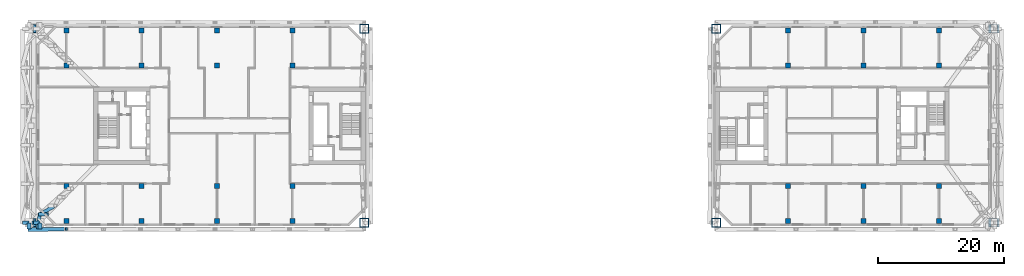
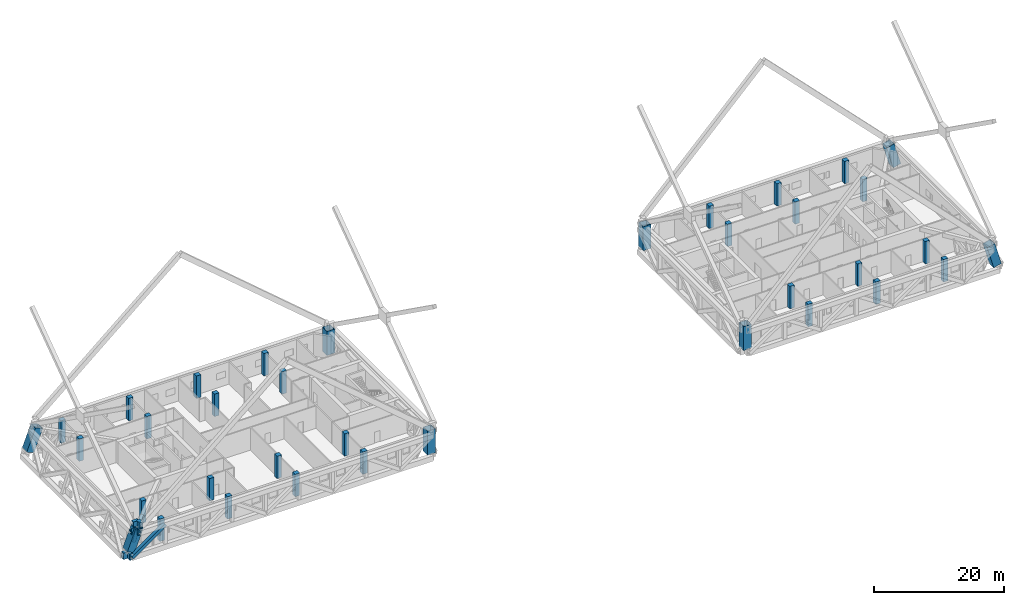
# One storey, part 1 of 20: 36 columns, 6 beams, 4 members.
"""IFC4 building model written with IfcOpenShell, lengths in metres."""

from ifc_helpers import new_model, si_unit, direction, frame, origin, origin_2d, place, context, subcontext, project, spatial, rectangle, hollow_rectangle, extrude, material, material_profile, profile_set, type_object, element, save


model = new_model("IFC4")

# Units and contexts
model_context = context("Model", 3, precision=1e-05, world=origin(), true_north=direction((0.0, 1.0)))
body_context = subcontext(model_context, "Body", "Model", "MODEL_VIEW")
ifc_project = project(units=[si_unit("LENGTHUNIT", "METRE"), si_unit("AREAUNIT", "SQUARE_METRE"), si_unit("VOLUMEUNIT", "CUBIC_METRE"), si_unit("PLANEANGLEUNIT", "RADIAN"), si_unit("MASSUNIT", "GRAM", prefix="KILO")], contexts=[model_context])

# Site, building, storey
site_placement = place(None, origin())
site = spatial("IfcSite", under=ifc_project, at=site_placement, CompositionType="ELEMENT")
building_placement = place(site_placement, origin())
building = spatial("IfcBuilding", under=site, at=building_placement, Name="Tuart Gate Housing", CompositionType="ELEMENT")
storey_placement = place(building_placement, frame((0.0, 0.0, 62.89990234375)))
storey = spatial("IfcBuildingStorey", under=building, at=storey_placement, Name="L17", CompositionType="ELEMENT", Elevation=62.89990234375)

# Columns
ifc_material_1 = material(Name="Steel Grade 350", Category="steel")
ifc_material_profile_1 = material_profile(ifc_material_1, hollow_rectangle(XDim=1.39990234375, YDim=1.39990234375, WallThickness=0.074951171875, at=origin_2d()), Name="BOX 1400x1400x75")
ifc_profile_set_1 = profile_set([ifc_material_profile_1], Name="Steel Grade 350")
column_type_1 = type_object("IfcColumnType", Name="Mega column BOX 1400x1400x75", PredefinedType="COLUMN", material=ifc_profile_set_1)
column_1_placement = place(storey_placement, frame((22.148681640625, 54.550048828125, 0.25390625), z_axis=(0.362471013714, 0.0, 0.931995045168), x_axis=(0.0, 1.0, 0.0)))
element("IfcColumn", 1, at=column_1_placement, inside=storey, type_object=column_type_1, Name="Mega column A south-west L17", PredefinedType="COLUMN", context=body_context, shape_type="SweptSolid", body=[
    extrude(hollow_rectangle(XDim=1.39990234375, YDim=1.39990234375, WallThickness=0.074951171875, at=origin_2d()), origin(), (0.0, 0.0, 1.0), 4.28369140625),
])
for number, where, z_axis, x_axis, name in (
    (2, (75.449951171875, 54.550048828125, 0.0), (0.0, 0.0, 1.0), (1.0, 0.0, 0.0), "Mega column A south-east L17"),
    (3, (75.449951171875, 85.449951171875, 0.0), (0.0, 0.0, 1.0), (1.0, 0.0, 0.0), "Mega column A north-east L17"),
):
    element("IfcColumn", number, at=place(storey_placement, frame(where, z_axis=z_axis, x_axis=x_axis)), inside=storey, type_object=column_type_1, Name=name, PredefinedType="COLUMN", context=body_context, shape_type="SweptSolid", body=[
        extrude(hollow_rectangle(XDim=1.39990234375, YDim=1.39990234375, WallThickness=0.074951171875, at=origin_2d()), origin(), (0.0, 0.0, 1.0), 4.5),
    ])
column_2_placement = place(storey_placement, frame((22.148681640625, 85.449951171875, 0.25390625), z_axis=(0.362471013714, 0.0, 0.931995045168), x_axis=(0.0, 1.0, 0.0)))
element("IfcColumn", 4, at=column_2_placement, inside=storey, type_object=column_type_1, Name="Mega column A north-west L17", PredefinedType="COLUMN", context=body_context, shape_type="SweptSolid", body=[
    extrude(hollow_rectangle(XDim=1.39990234375, YDim=1.39990234375, WallThickness=0.074951171875, at=origin_2d()), origin(), (0.0, 0.0, 1.0), 4.28369140625),
])
column_3_placement = place(storey_placement, frame((131.550048828125, 54.550048828125, 0.0), z_axis=(0.0, 0.0, 1.0), x_axis=(1.0, 0.0, 0.0)))
element("IfcColumn", 5, at=column_3_placement, inside=storey, type_object=column_type_1, Name="Mega column B south-west L17", PredefinedType="COLUMN", context=body_context, shape_type="SweptSolid", body=[
    extrude(hollow_rectangle(XDim=1.39990234375, YDim=1.39990234375, WallThickness=0.074951171875, at=origin_2d()), origin(), (0.0, 0.0, 1.0), 4.5),
])
for number, where, z_axis, x_axis, name in (
    (6, (175.89794921875, 54.550048828125, 0.1875), (-0.267664450709, 0.0, 0.963512190803), (0.0, -1.0, 0.0), "Mega column B south-east L17"),
    (7, (175.89794921875, 85.449951171875, 0.1875), (-0.267664450709, 0.0, 0.963512190803), (0.0, -1.0, 0.0), "Mega column B north-east L17"),
):
    element("IfcColumn", number, at=place(storey_placement, frame(where, z_axis=z_axis, x_axis=x_axis)), inside=storey, type_object=column_type_1, Name=name, PredefinedType="COLUMN", context=body_context, shape_type="SweptSolid", body=[
        extrude(hollow_rectangle(XDim=1.39990234375, YDim=1.39990234375, WallThickness=0.074951171875, at=origin_2d()), origin(), (0.0, 0.0, 1.0), 4.281494140625),
    ])
column_4_placement = place(storey_placement, frame((131.550048828125, 85.449951171875, 0.0), z_axis=(0.0, 0.0, 1.0), x_axis=(1.0, 0.0, 0.0)))
element("IfcColumn", 8, at=column_4_placement, inside=storey, type_object=column_type_1, Name="Mega column B north-west L17", PredefinedType="COLUMN", context=body_context, shape_type="SweptSolid", body=[
    extrude(hollow_rectangle(XDim=1.39990234375, YDim=1.39990234375, WallThickness=0.074951171875, at=origin_2d()), origin(), (0.0, 0.0, 1.0), 4.5),
])
ifc_material_2 = material(Name="Concrete C50", Category="concrete")
ifc_material_profile_2 = material_profile(ifc_material_2, rectangle(XDim=0.800048828125, YDim=0.800048828125, at=origin_2d()), Name="RC column 800 x 800 (4.2-4.2 m)")
ifc_profile_set_2 = profile_set([ifc_material_profile_2], Name="Concrete C50")
column_type_2 = type_object("IfcColumnType", Name="RC column 800 x 800 (4.2-4.2 m)", PredefinedType="COLUMN", material=ifc_profile_set_2)
for number, where, z_axis, x_axis, name in (
    (9, (28.0, 54.800048828125, 0.0), (0.0, 0.0, 1.0), (1.0, 0.0, 0.0), "RC column 1 L17"),
    (10, (28.0, 60.39990234375, 0.0), (0.0, 0.0, 1.0), (1.0, 0.0, 0.0), "RC column 4 L17"),
    (11, (28.0, 79.60009765625, 0.0), (0.0, 0.0, 1.0), (1.0, 0.0, 0.0), "RC column 5 L17"),
    (12, (28.0, 85.199951171875, 0.0), (0.0, 0.0, 1.0), (1.0, 0.0, 0.0), "RC column 8 L17"),
    (13, (40.0, 54.800048828125, 0.0), (0.0, 0.0, 1.0), (1.0, 0.0, 0.0), "RC column 9 L17"),
    (14, (40.0, 60.39990234375, 0.0), (0.0, 0.0, 1.0), (1.0, 0.0, 0.0), "RC column 12 L17"),
    (15, (40.0, 79.60009765625, 0.0), (0.0, 0.0, 1.0), (1.0, 0.0, 0.0), "RC column 13 L17"),
    (16, (40.0, 85.199951171875, 0.0), (0.0, 0.0, 1.0), (1.0, 0.0, 0.0), "RC column 16 L17"),
    (17, (52.0, 54.800048828125, 0.0), (0.0, 0.0, 1.0), (1.0, 0.0, 0.0), "RC column 17 L17"),
    (18, (52.0, 60.39990234375, 0.0), (0.0, 0.0, 1.0), (1.0, 0.0, 0.0), "RC column 18 L17"),
    (19, (52.0, 79.60009765625, 0.0), (0.0, 0.0, 1.0), (1.0, 0.0, 0.0), "RC column 19 L17"),
    (20, (52.0, 85.199951171875, 0.0), (0.0, 0.0, 1.0), (1.0, 0.0, 0.0), "RC column 20 L17"),
    (21, (64.0, 54.800048828125, 0.0), (0.0, 0.0, 1.0), (1.0, 0.0, 0.0), "RC column 21 L17"),
    (22, (64.0, 60.39990234375, 0.0), (0.0, 0.0, 1.0), (1.0, 0.0, 0.0), "RC column 22 L17"),
    (23, (64.0, 79.60009765625, 0.0), (0.0, 0.0, 1.0), (1.0, 0.0, 0.0), "RC column 23 L17"),
    (24, (64.0, 85.199951171875, 0.0), (0.0, 0.0, 1.0), (1.0, 0.0, 0.0), "RC column 24 L17"),
    (25, (143.0, 54.800048828125, 0.0), (0.0, 0.0, 1.0), (1.0, 0.0, 0.0), "RC column 25 L17"),
    (26, (143.0, 60.39990234375, 0.0), (0.0, 0.0, 1.0), (1.0, 0.0, 0.0), "RC column 26 L17"),
    (27, (143.0, 79.60009765625, 0.0), (0.0, 0.0, 1.0), (1.0, 0.0, 0.0), "RC column 27 L17"),
    (28, (143.0, 85.199951171875, 0.0), (0.0, 0.0, 1.0), (1.0, 0.0, 0.0), "RC column 28 L17"),
    (29, (155.0, 54.800048828125, 0.0), (0.0, 0.0, 1.0), (1.0, 0.0, 0.0), "RC column 29 L17"),
    (30, (155.0, 60.39990234375, 0.0), (0.0, 0.0, 1.0), (1.0, 0.0, 0.0), "RC column 30 L17"),
    (31, (155.0, 79.60009765625, 0.0), (0.0, 0.0, 1.0), (1.0, 0.0, 0.0), "RC column 31 L17"),
    (32, (155.0, 85.199951171875, 0.0), (0.0, 0.0, 1.0), (1.0, 0.0, 0.0), "RC column 32 L17"),
    (33, (167.0, 54.800048828125, 0.0), (0.0, 0.0, 1.0), (1.0, 0.0, 0.0), "RC column 33 L17"),
    (34, (167.0, 60.39990234375, 0.0), (0.0, 0.0, 1.0), (1.0, 0.0, 0.0), "RC column 36 L17"),
    (35, (167.0, 79.60009765625, 0.0), (0.0, 0.0, 1.0), (1.0, 0.0, 0.0), "RC column 37 L17"),
    (36, (167.0, 85.199951171875, 0.0), (0.0, 0.0, 1.0), (1.0, 0.0, 0.0), "RC column 40 L17"),
):
    element("IfcColumn", number, at=place(storey_placement, frame(where, z_axis=z_axis, x_axis=x_axis)), inside=storey, type_object=column_type_2, Name=name, PredefinedType="COLUMN", context=body_context, shape_type="SweptSolid", body=[
        extrude(rectangle(XDim=0.800048828125, YDim=0.800048828125, at=origin_2d()), origin(), (0.0, 0.0, 1.0), 4.2001953125),
    ])

# Member
ifc_material_3 = material(Name="Steel Grade 350", Category="steel")
ifc_material_profile_3 = material_profile(ifc_material_3, hollow_rectangle(XDim=0.60009765625, YDim=0.60009765625, WallThickness=0.031982421875, at=origin_2d()), Name="BOX 600x600x32")
ifc_profile_set_3 = profile_set([ifc_material_profile_3], Name="Steel Grade 350")
member_type_1 = type_object("IfcMemberType", Name="Belt truss diagonal BOX 600x600x32", PredefinedType="BRACE", material=ifc_profile_set_3)
member_1_placement = place(storey_placement, frame((22.050048828125, 53.449951171875, -0.39990234375), z_axis=(0.819376919139, 0.013823171495, 0.573088461158), x_axis=(-0.016867945015, 0.999857726095, 0.0)))
element("IfcMember", 37, at=member_1_placement, inside=storey, type_object=member_type_1, Name="Belt truss diagonal A south 0 L17", PredefinedType="BRACE", context=body_context, shape_type="SweptSolid", body=[
    extrude(hollow_rectangle(XDim=0.60009765625, YDim=0.60009765625, WallThickness=0.031982421875, at=origin_2d()), origin(), (0.0, 0.0, 1.0), 7.2412109375),
])

# Beams
ifc_material_4 = material(Name="Steel Grade 350", Category="steel")
ifc_material_profile_4 = material_profile(ifc_material_4, hollow_rectangle(XDim=0.60009765625, YDim=1.199951171875, WallThickness=0.0400390625, at=origin_2d()), Name="BOX 1200x600x40")
ifc_profile_set_4 = profile_set([ifc_material_profile_4], Name="Steel Grade 350")
beam_type = type_object("IfcBeamType", Name="Brace shoe BOX 1200x600x40", PredefinedType="BEAM", material=ifc_profile_set_4)
for number, where, z_axis, x_axis, name in (
    (38, (22.050048828125, 54.550048828125, -0.39990234375), (0.0, -1.0, 0.0), (1.0, 0.0, 0.0), "Mega tie beam A node 2 south shoe 0 L17"),
    (39, (22.050048828125, 54.550048828125, -0.39990234375), (-1.0, 0.0, 0.0), (0.0, -1.0, 0.0), "Mega tie beam A node 2 west shoe 0 L17"),
    (40, (23.800048828125, 54.550048828125, 4.820068359375), (0.0, -1.0, 0.0), (1.0, 0.0, 0.0), "Mega brace shoe A zone 3 south chevron 1"),
    (41, (23.800048828125, 54.550048828125, 4.820068359375), (-1.0, 0.0, 0.0), (0.0, -1.0, 0.0), "Mega brace shoe A zone 3 west cross 1"),
    (42, (23.50830078125, 54.550048828125, 3.75), (0.0, -1.0, 0.0), (1.0, 0.0, 0.0), "Belt truss top chord A south shoe 0 L17"),
    (43, (23.50830078125, 54.550048828125, 3.75), (-1.0, 0.0, 0.0), (0.0, -1.0, 0.0), "Belt truss top chord A west shoe 0 L17"),
):
    element("IfcBeam", number, at=place(storey_placement, frame(where, z_axis=z_axis, x_axis=x_axis)), inside=storey, type_object=beam_type, Name=name, PredefinedType="BEAM", context=body_context, shape_type="SweptSolid", body=[
        extrude(hollow_rectangle(XDim=0.60009765625, YDim=1.199951171875, WallThickness=0.0400390625, at=origin_2d()), origin(), (0.0, 0.0, 1.0), 1.0),
    ])

# Members
ifc_material_5 = material(Name="Steel Grade 350", Category="steel")
ifc_material_profile_5 = material_profile(ifc_material_5, hollow_rectangle(XDim=0.5400390625, YDim=0.5400390625, WallThickness=0.030029296875, at=origin_2d()), Name="BOX 540x540x30")
ifc_profile_set_5 = profile_set([ifc_material_profile_5], Name="Steel Grade 350")
member_type_2 = type_object("IfcMemberType", Name="Outrigger diagonal BOX 540x540x30", PredefinedType="BRACE", material=ifc_profile_set_5)
member_2_placement = place(storey_placement, frame((26.22265625, 57.264404296875, 3.800048828125), z_axis=(-0.567992447121, -0.317199478304, -0.759453139421), x_axis=(0.487577622679, -0.873079642337, 0.0)))
element("IfcMember", 44, at=member_2_placement, inside=storey, type_object=member_type_2, Name="Outrigger diagonal AK south 5 L17", PredefinedType="BRACE", context=body_context, shape_type="SweptSolid", body=[
    extrude(hollow_rectangle(XDim=0.5400390625, YDim=0.5400390625, WallThickness=0.030029296875, at=origin_2d()), origin(), (0.0, 0.0, 1.0), 4.279296875),
])
member_3_placement = place(storey_placement, frame((23.7919921875, 55.906982421875, 0.550048828125), z_axis=(-0.074794951985, -0.38420549273, 0.920212939766), x_axis=(0.981573085322, -0.191087095775, 0.0)))
element("IfcMember", 45, at=member_3_placement, inside=storey, type_object=member_type_2, Name="Outrigger diagonal AK south 6 L17", PredefinedType="BRACE", context=body_context, shape_type="SweptSolid", body=[
    extrude(hollow_rectangle(XDim=0.5400390625, YDim=0.5400390625, WallThickness=0.030029296875, at=origin_2d()), origin(), (0.0, 0.0, 1.0), 3.53173828125),
])
ifc_material_6 = material(Name="Steel Grade 350", Category="steel")
ifc_material_profile_6 = material_profile(ifc_material_6, hollow_rectangle(XDim=0.52001953125, YDim=0.52001953125, WallThickness=0.028076171875, at=origin_2d()), Name="BOX 520x520x28")
ifc_profile_set_6 = profile_set([ifc_material_profile_6], Name="Steel Grade 350")
member_type_3 = type_object("IfcMemberType", Name="Outrigger post BOX 520x520x28", PredefinedType="POST", material=ifc_profile_set_6)
member_4_placement = place(storey_placement, frame((23.7919921875, 55.906982421875, 0.550048828125), z_axis=(0.316206386194, 0.0, 0.94869042439), x_axis=(0.0, 1.0, 0.0)))
element("IfcMember", 46, at=member_4_placement, inside=storey, type_object=member_type_3, Name="Outrigger post AK south 6 L17", PredefinedType="POST", context=body_context, shape_type="SweptSolid", body=[
    extrude(hollow_rectangle(XDim=0.52001953125, YDim=0.52001953125, WallThickness=0.028076171875, at=origin_2d()), origin(), (0.0, 0.0, 1.0), 3.42578125),
])

save(model, "model.ifc")
